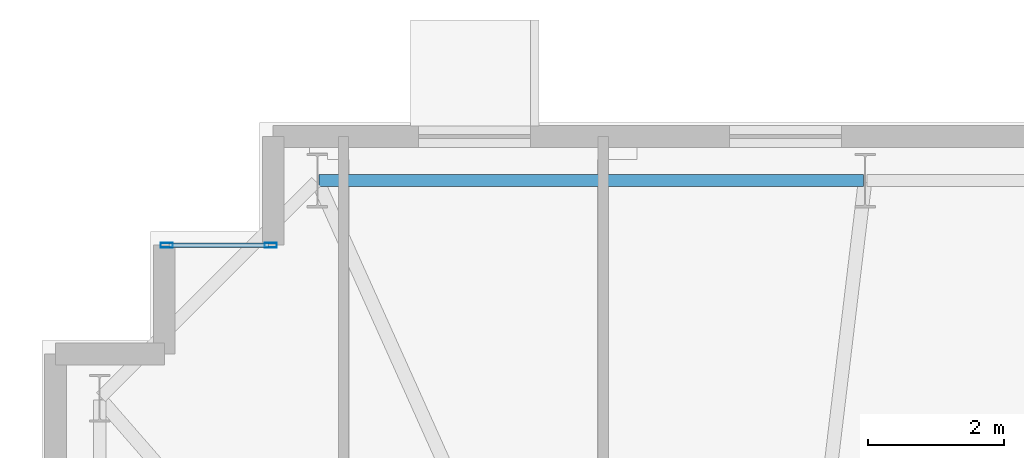
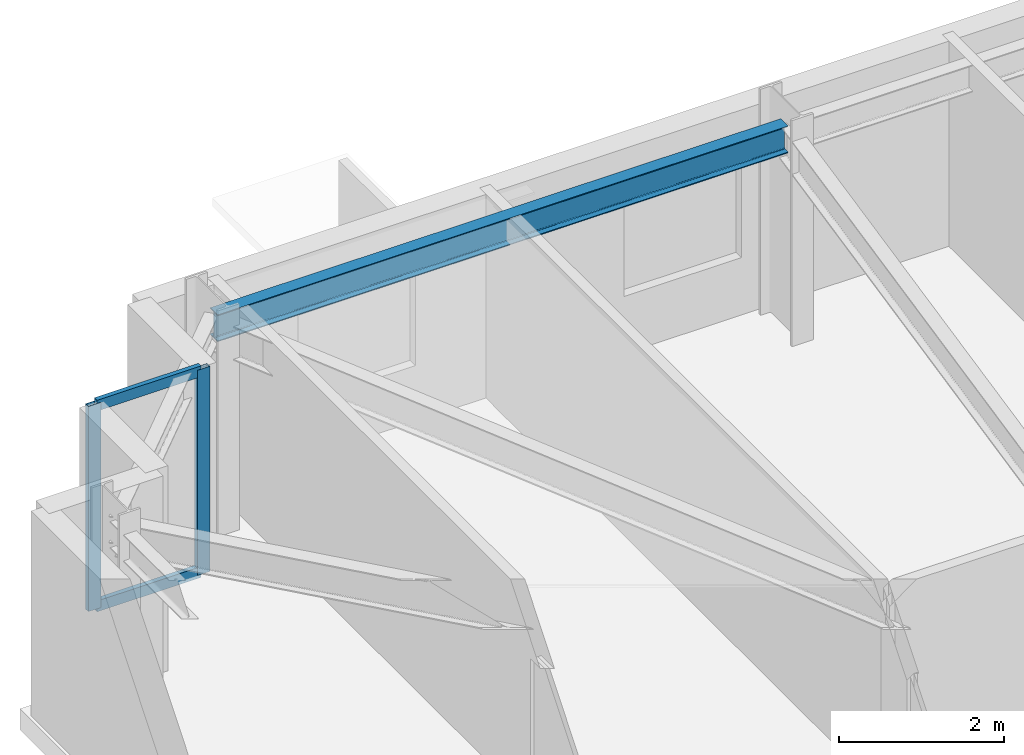
# One storey, part 7 of 19: 4 members, 1 beam, 1 element without a shape of its own.
"""IFC4 building model written with IfcOpenShell, lengths in metres."""

from ifc_helpers import new_model, si_unit, direction, frame, origin, origin_2d, place, context, subcontext, project, spatial, hollow_rectangle, i_section, extrude, material, layer, layer_set, material_profile, profile_set, type_object, element, aggregate, save


model = new_model("IFC4")

# Units and contexts
model_context = context("Model", 3, precision=1e-05, world=origin(), true_north=direction((0.0, 1.0)))
body_context = subcontext(model_context, "Body", "Model", "MODEL_VIEW")
ifc_project = project(units=[si_unit("LENGTHUNIT", "METRE"), si_unit("AREAUNIT", "SQUARE_METRE"), si_unit("VOLUMEUNIT", "CUBIC_METRE"), si_unit("PLANEANGLEUNIT", "RADIAN"), si_unit("MASSUNIT", "GRAM", prefix="KILO")], contexts=[model_context])

# Site, building, storey
site_placement = place(None, origin())
site = spatial("IfcSite", under=ifc_project, at=site_placement, CompositionType="ELEMENT")
building_placement = place(site_placement, origin())
building = spatial("IfcBuilding", under=site, at=building_placement, Name="Qobustan Lattice House", CompositionType="ELEMENT")
storey_placement = place(building_placement, frame((0.0, 0.0, 137.699951171875)))
storey = spatial("IfcBuildingStorey", under=building, at=storey_placement, Name="L38", CompositionType="ELEMENT", Elevation=137.699951171875)

# Beam
ifc_material_1 = material(Name="Steel S355", Category="steel")
ifc_material_profile_1 = material_profile(ifc_material_1, i_section(OverallWidth=0.179931640625, OverallDepth=0.39990234375, WebThickness=0.008544921875, FlangeThickness=0.013427734375, FilletRadius=0.02099609375, at=origin_2d()), Name="IPE400")
ifc_profile_set_1 = profile_set([ifc_material_profile_1], Name="Steel S355")
beam_type = type_object("IfcBeamType", Name="BM-SPD-IPE400", PredefinedType="SPANDREL", material=ifc_profile_set_1)
beam_placement = place(storey_placement, frame((-17.125, 19.75, 2.840087890625), z_axis=(-1.0, 0.0, 0.0), x_axis=(0.0, -1.0, 0.0)))
element("IfcBeam", 1, at=beam_placement, inside=storey, type_object=beam_type, Name="L38 perimeter spandrel N6-N7", PredefinedType="SPANDREL", context=body_context, shape_type="SweptSolid", body=[
    extrude(i_section(OverallWidth=0.179931640625, OverallDepth=0.39990234375, WebThickness=0.008544921875, FlangeThickness=0.013427734375, FilletRadius=0.02099609375, at=origin_2d()), origin(), (0.0, 0.0, 1.0), 8.0),
])

# Curtain wall, members
ifc_material_2 = material(Name="Anodised aluminium and low-E glazing", Category="aluminium")
ifc_layer = layer(ifc_material_2, 0.219970703125)
ifc_layer_set = layer_set([ifc_layer], Name="Anodised aluminium and low-E glazing")
curtain_wall_type = type_object("IfcCurtainWallType", Name="CW-FAC-02", PredefinedType="USERDEFINED", material=ifc_layer_set)
curtain_wall_placement = place(storey_placement, origin())
curtain_wall = element("IfcCurtainWall", 2, at=curtain_wall_placement, inside=storey, type_object=curtain_wall_type, Name="L38 serrated corner faceted glazing 8", ObjectType="CURTAIN WALL", PredefinedType="USERDEFINED")
ifc_material_3 = material(Name="Anodised aluminium EN AW-6063 T6", Category="aluminium")
ifc_material_profile_2 = material_profile(ifc_material_3, hollow_rectangle(XDim=0.070068359375, YDim=0.179931640625, WallThickness=0.00439453125, at=origin_2d()), Name="CWM-180x70")
ifc_profile_set_2 = profile_set([ifc_material_profile_2], Name="Anodised aluminium EN AW-6063 T6")
member_type_1 = type_object("IfcMemberType", Name="CWM-STD-180", PredefinedType="MULLION", material=ifc_profile_set_2)
member_1_placement = place(storey_placement, frame((-27.364990234375, 18.800048828125, 0.0), z_axis=(0.0, 0.0, 1.0), x_axis=(0.0, 1.0, 0.0)))
member_1 = element("IfcMember", 3, at=member_1_placement, type_object=member_type_1, Name="CW-F2 mullion 1", PredefinedType="MULLION", context=body_context, shape_type="SweptSolid", body=[
    extrude(hollow_rectangle(XDim=0.070068359375, YDim=0.179931640625, WallThickness=0.00439453125, at=origin_2d()), origin(), (0.0, 0.0, 1.0), 3.0400390625),
])
member_2_placement = place(storey_placement, frame((-25.8349609375, 18.800048828125, 0.0), z_axis=(0.0, 0.0, 1.0), x_axis=(0.0, 1.0, 0.0)))
member_2 = element("IfcMember", 4, at=member_2_placement, type_object=member_type_1, Name="CW-F2 mullion 2", PredefinedType="MULLION", context=body_context, shape_type="SweptSolid", body=[
    extrude(hollow_rectangle(XDim=0.070068359375, YDim=0.179931640625, WallThickness=0.00439453125, at=origin_2d()), origin(), (0.0, 0.0, 1.0), 3.0400390625),
])
ifc_material_4 = material(Name="Anodised aluminium EN AW-6063 T6", Category="aluminium")
ifc_material_profile_3 = material_profile(ifc_material_4, hollow_rectangle(XDim=0.06494140625, YDim=0.159912109375, WallThickness=0.00390625, at=origin_2d()), Name="CWT-160x65")
ifc_profile_set_3 = profile_set([ifc_material_profile_3], Name="Anodised aluminium EN AW-6063 T6")
member_type_2 = type_object("IfcMemberType", Name="CWT-HOR-160", PredefinedType="USERDEFINED", material=ifc_profile_set_3)
member_3_placement = place(storey_placement, frame((-27.330078125, 18.800048828125, 0.032470703125), z_axis=(1.0, 0.0, 0.0), x_axis=(0.0, 1.0, 0.0)))
member_3 = element("IfcMember", 5, at=member_3_placement, type_object=member_type_2, Name="CW-F2 transom 1.1", ObjectType="TRANSOM", PredefinedType="USERDEFINED", context=body_context, shape_type="SweptSolid", body=[
    extrude(hollow_rectangle(XDim=0.06494140625, YDim=0.159912109375, WallThickness=0.00390625, at=origin_2d()), origin(), (0.0, 0.0, 1.0), 1.4599609375),
])
member_4_placement = place(storey_placement, frame((-27.330078125, 18.800048828125, 3.007568359375), z_axis=(1.0, 0.0, 0.0), x_axis=(0.0, 1.0, 0.0)))
member_4 = element("IfcMember", 6, at=member_4_placement, type_object=member_type_2, Name="CW-F2 transom 1.2", ObjectType="TRANSOM", PredefinedType="USERDEFINED", context=body_context, shape_type="SweptSolid", body=[
    extrude(hollow_rectangle(XDim=0.06494140625, YDim=0.159912109375, WallThickness=0.00390625, at=origin_2d()), origin(), (0.0, 0.0, 1.0), 1.4599609375),
])
aggregate(curtain_wall, [member_1, member_2, member_3, member_4])

save(model, "model.ifc")
